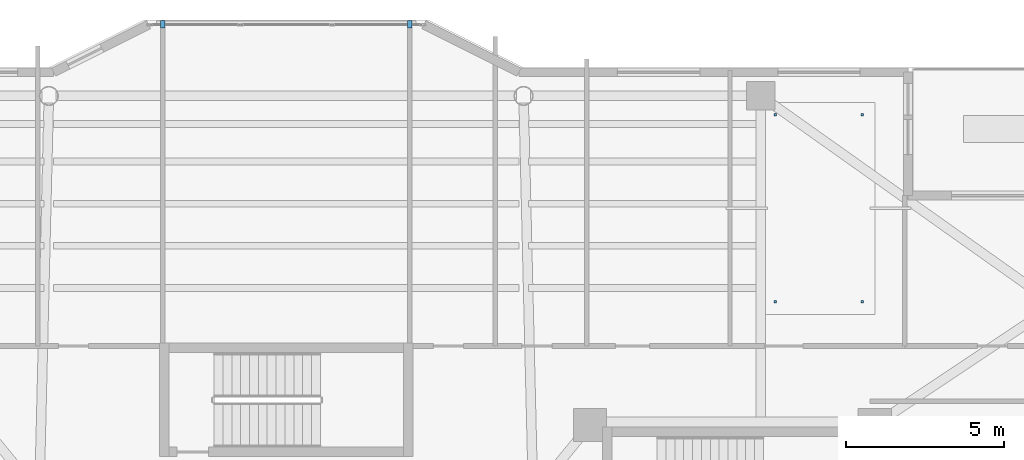
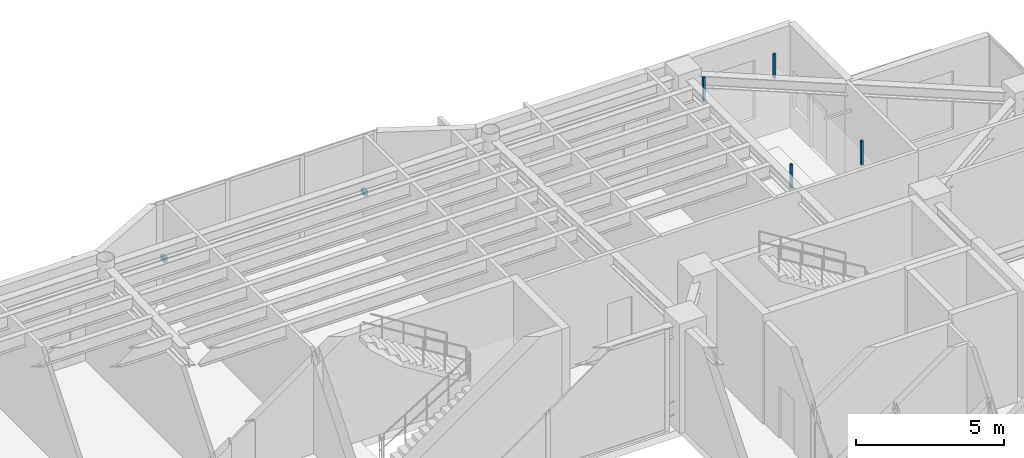
# One storey, part 29 of 33: 6 discrete accessories.
"""IFC4 building model written with IfcOpenShell, lengths in metres."""

from ifc_helpers import new_model, si_unit, direction, frame, origin, origin_2d, place, context, subcontext, project, spatial, rectangle, extrude, material, type_object, element, save


model = new_model("IFC4")

# Units and contexts
model_context = context("Model", 3, precision=1e-05, world=origin(), true_north=direction((0.0, 1.0)))
body_context = subcontext(model_context, "Body", "Model", "MODEL_VIEW")
ifc_project = project(units=[si_unit("LENGTHUNIT", "METRE"), si_unit("AREAUNIT", "SQUARE_METRE"), si_unit("VOLUMEUNIT", "CUBIC_METRE"), si_unit("PLANEANGLEUNIT", "RADIAN"), si_unit("MASSUNIT", "GRAM", prefix="KILO")], contexts=[model_context])

# Site, building, storey
site_placement = place(None, origin())
site = spatial("IfcSite", under=ifc_project, at=site_placement, CompositionType="ELEMENT")
building_placement = place(site_placement, origin())
building = spatial("IfcBuilding", under=site, at=building_placement, Name="Tarnavaz Court Tower", CompositionType="ELEMENT")
storey_placement = place(building_placement, frame((0.0, 0.0, 177.300048828125)))
storey = spatial("IfcBuildingStorey", under=building, at=storey_placement, Name="L48", CompositionType="ELEMENT", Elevation=177.300048828125)

# Discrete accessories
ifc_material = material(Name="Anodised Aluminium 6063-T6", Category="aluminium")
discrete_accessory_type = type_object("IfcDiscreteAccessoryType", Name="DA-BRKT-ALU", PredefinedType="BRACKET", material=ifc_material)
for number, where, z_axis, x_axis, name in (
    (1, (-3.89990234375, 22.669921875, 1.7001953125), (0.0, 0.0, 1.0), (1.0, 0.0, 0.0), "L48 Baguette Outrigger Bracket PBG7-1"),
    (2, (3.89990234375, 22.669921875, 1.7001953125), (0.0, 0.0, 1.0), (1.0, 0.0, 0.0), "L48 Baguette Outrigger Bracket PBG7-2"),
):
    element("IfcDiscreteAccessory", number, at=place(storey_placement, frame(where, z_axis=z_axis, x_axis=x_axis)), inside=storey, type_object=discrete_accessory_type, Name=name, PredefinedType="BRACKET", context=body_context, shape_type="SweptSolid", body=[
        extrude(rectangle(XDim=0.139892578125, YDim=0.239990234375, at=origin_2d()), origin(), (0.0, 0.0, 1.0), 0.199951171875),
    ])
for number, where, z_axis, x_axis, name in (
    (3, (15.452880859375, 13.89990234375, 3.23974609375), (0.0, 0.0, 1.0), (1.0, 0.0, 0.0), "L48 Ceiling Suspension Hanger Bracket 01-1"),
    (4, (18.199951171875, 13.89990234375, 3.23974609375), (0.0, 0.0, 1.0), (1.0, 0.0, 0.0), "L48 Ceiling Suspension Hanger Bracket 01-2"),
    (5, (18.199951171875, 19.800048828125, 3.23974609375), (0.0, 0.0, 1.0), (1.0, 0.0, 0.0), "L48 Ceiling Suspension Hanger Bracket 01-3"),
    (6, (15.452880859375, 19.800048828125, 3.23974609375), (0.0, 0.0, 1.0), (1.0, 0.0, 0.0), "L48 Ceiling Suspension Hanger Bracket 01-4"),
):
    element("IfcDiscreteAccessory", number, at=place(storey_placement, frame(where, z_axis=z_axis, x_axis=x_axis)), inside=storey, type_object=discrete_accessory_type, Name=name, PredefinedType="BRACKET", context=body_context, shape_type="SweptSolid", body=[
        extrude(rectangle(XDim=0.080078125, YDim=0.080078125, at=origin_2d()), origin(), (0.0, 0.0, 1.0), 0.989990234375),
    ])

save(model, "model.ifc")
